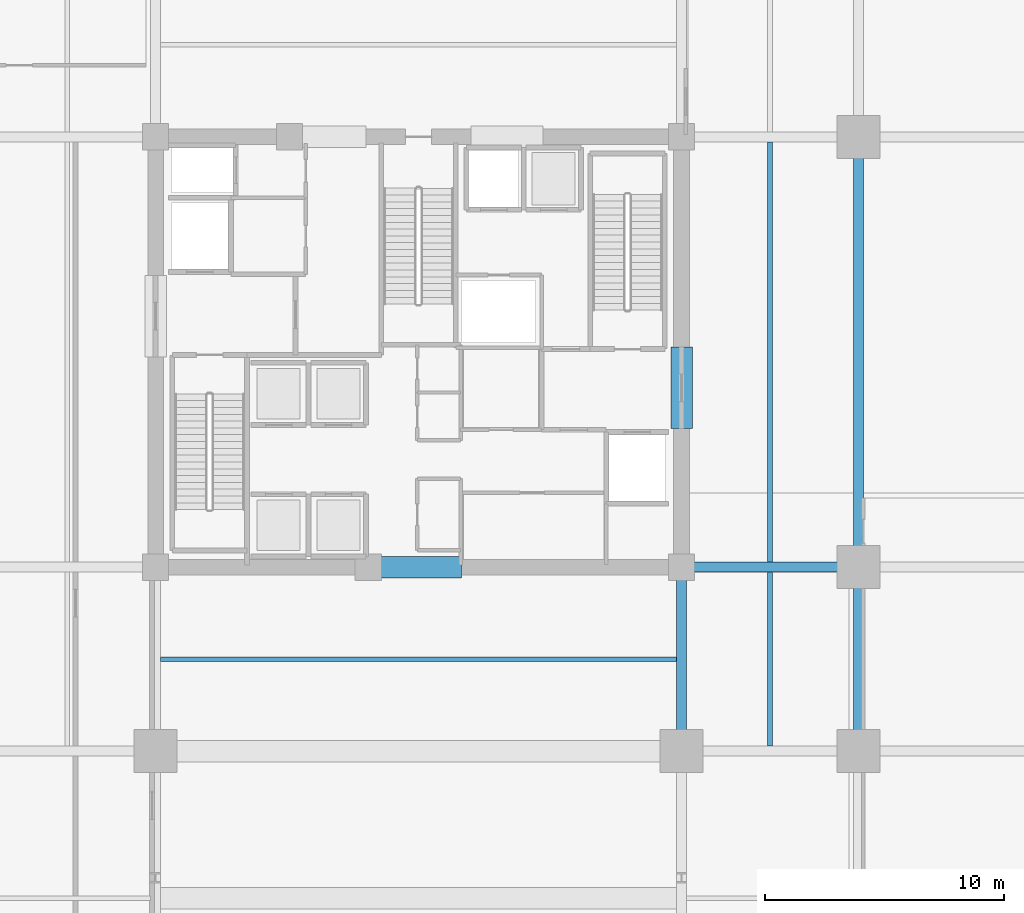
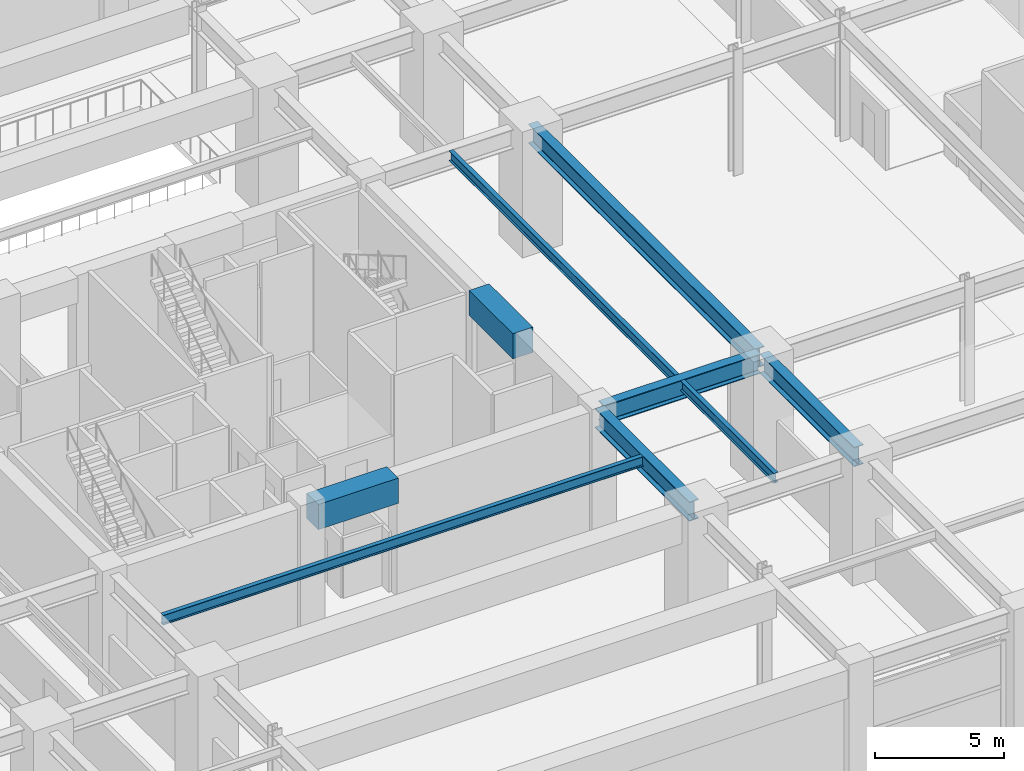
# One storey, part 12 of 41: 9 beams.
"""IFC4 building model written with IfcOpenShell, lengths in metres."""

from ifc_helpers import new_model, si_unit, direction, frame, origin, origin_2d, place, context, subcontext, project, spatial, rectangle, i_section, extrude, material, material_profile, profile_set, type_object, element, save


model = new_model("IFC4")

# Units and contexts
model_context = context("Model", 3, precision=1e-05, world=origin(), true_north=direction((0.0, 1.0)))
body_context = subcontext(model_context, "Body", "Model", "MODEL_VIEW")
ifc_project = project(units=[si_unit("LENGTHUNIT", "METRE"), si_unit("AREAUNIT", "SQUARE_METRE"), si_unit("VOLUMEUNIT", "CUBIC_METRE"), si_unit("PLANEANGLEUNIT", "RADIAN"), si_unit("MASSUNIT", "GRAM", prefix="KILO")], contexts=[model_context])

# Site, building, storey
site_placement = place(None, origin())
site = spatial("IfcSite", under=ifc_project, at=site_placement, CompositionType="ELEMENT")
building_placement = place(site_placement, origin())
building = spatial("IfcBuilding", under=site, at=building_placement, Name="Kovane Verandah Tower", CompositionType="ELEMENT")
storey_placement = place(building_placement, origin())
storey = spatial("IfcBuildingStorey", under=building, at=storey_placement, Name="L00", CompositionType="ELEMENT", Elevation=0.0)

# Beams
ifc_material_1 = material(Name="Concrete C80/95", Category="concrete")
ifc_material_profile_1 = material_profile(ifc_material_1, rectangle(XDim=0.89990234375, YDim=1.199951171875, at=origin_2d()), Name="RCB900x1200")
ifc_profile_set_1 = profile_set([ifc_material_profile_1], Name="Concrete C80/95")
beam_type_1 = type_object("IfcBeamType", Name="BM-LINTEL-900x1200", PredefinedType="LINTEL", material=ifc_profile_set_1)
beam_1_placement = place(storey_placement, frame((38.199951171875, 18.5, 5.1201171875), z_axis=(1.0, 0.0, 0.0), x_axis=(0.0, 1.0, 0.0)))
element("IfcBeam", 1, at=beam_1_placement, inside=storey, type_object=beam_type_1, Name="L00 Core Coupling Lintel CL-S", PredefinedType="LINTEL", context=body_context, shape_type="SweptSolid", body=[
    extrude(rectangle(XDim=0.89990234375, YDim=1.199951171875, at=origin_2d()), origin(), (0.0, 0.0, 1.0), 3.60009765625),
])
beam_2_placement = place(storey_placement, frame((51.0, 24.300048828125, 5.1201171875), z_axis=(0.0, 1.0, 0.0), x_axis=(-1.0, 0.0, 0.0)))
element("IfcBeam", 2, at=beam_2_placement, inside=storey, type_object=beam_type_1, Name="L00 Core Coupling Lintel CL-E", PredefinedType="LINTEL", context=body_context, shape_type="SweptSolid", body=[
    extrude(rectangle(XDim=0.89990234375, YDim=1.199951171875, at=origin_2d()), origin(), (0.0, 0.0, 1.0), 3.39990234375),
])
ifc_material_2 = material(Name="Steel S460", Category="steel")
ifc_material_profile_2 = material_profile(ifc_material_2, i_section(OverallWidth=0.42041015625, OverallDepth=0.9208984375, WebThickness=0.021484375, FlangeThickness=0.03662109375, FilletRadius=0.024169921875, at=origin_2d()), Name="UB914x419x388")
ifc_profile_set_2 = profile_set([ifc_material_profile_2], Name="Steel S460")
beam_type_2 = type_object("IfcBeamType", Name="BM-UB914x388", PredefinedType="BEAM", material=ifc_profile_set_2)
beam_3_placement = place(storey_placement, frame((58.39990234375, 10.97998046875, 5.259521484375), z_axis=(0.0, 1.0, 0.0), x_axis=(-1.0, 0.0, 0.0)))
element("IfcBeam", 3, at=beam_3_placement, inside=storey, type_object=beam_type_2, Name="L00 Primary Tower Girder G-RE1", PredefinedType="BEAM", context=body_context, shape_type="SweptSolid", body=[
    extrude(i_section(OverallWidth=0.42041015625, OverallDepth=0.9208984375, WebThickness=0.021484375, FlangeThickness=0.03662109375, FilletRadius=0.024169921875, at=origin_2d()), origin(), (0.0, 0.0, 1.0), 7.340087890625),
])
beam_4_placement = place(storey_placement, frame((58.39990234375, 18.679931640625, 5.259521484375), z_axis=(0.0, 1.0, 0.0), x_axis=(-1.0, 0.0, 0.0)))
element("IfcBeam", 4, at=beam_4_placement, inside=storey, type_object=beam_type_2, Name="L00 Primary Tower Girder G-RE2", PredefinedType="BEAM", context=body_context, shape_type="SweptSolid", body=[
    extrude(i_section(OverallWidth=0.42041015625, OverallDepth=0.9208984375, WebThickness=0.021484375, FlangeThickness=0.03662109375, FilletRadius=0.024169921875, at=origin_2d()), origin(), (0.0, 0.0, 1.0), 17.64013671875),
])
beam_5_placement = place(storey_placement, frame((51.179931640625, 18.5, 5.259521484375), z_axis=(1.0, 0.0, 0.0), x_axis=(0.0, 1.0, 0.0)))
element("IfcBeam", 5, at=beam_5_placement, inside=storey, type_object=beam_type_2, Name="L00 Primary Tower Girder G-E1", PredefinedType="BEAM", context=body_context, shape_type="SweptSolid", body=[
    extrude(i_section(OverallWidth=0.42041015625, OverallDepth=0.9208984375, WebThickness=0.021484375, FlangeThickness=0.03662109375, FilletRadius=0.024169921875, at=origin_2d()), origin(), (0.0, 0.0, 1.0), 7.0400390625),
])
beam_6_placement = place(storey_placement, frame((51.0, 18.320068359375, 5.259521484375), z_axis=(0.0, -1.0, 0.0), x_axis=(1.0, 0.0, 0.0)))
element("IfcBeam", 6, at=beam_6_placement, inside=storey, type_object=beam_type_2, Name="L00 Primary Tower Girder G-S2", PredefinedType="BEAM", context=body_context, shape_type="SweptSolid", body=[
    extrude(i_section(OverallWidth=0.42041015625, OverallDepth=0.9208984375, WebThickness=0.021484375, FlangeThickness=0.03662109375, FilletRadius=0.024169921875, at=origin_2d()), origin(), (0.0, 0.0, 1.0), 7.340087890625),
])
ifc_material_3 = material(Name="Steel S355", Category="steel")
ifc_material_profile_3 = material_profile(ifc_material_3, i_section(OverallWidth=0.19287109375, OverallDepth=0.46728515625, WebThickness=0.011474609375, FlangeThickness=0.01953125, FilletRadius=0.01025390625, at=origin_2d()), Name="UB457x191x98")
ifc_profile_set_3 = profile_set([ifc_material_profile_3], Name="Steel S355")
beam_type_3 = type_object("IfcBeamType", Name="JST-UB457x98", PredefinedType="JOIST", material=ifc_profile_set_3)
beam_7_placement = place(storey_placement, frame((29.208251953125, 14.64990234375, 5.486328125), z_axis=(1.0, 0.0, 0.0), x_axis=(0.0, 1.0, 0.0)))
element("IfcBeam", 7, at=beam_7_placement, inside=storey, type_object=beam_type_3, Name="L00 Secondary Composite Joist J-S1", PredefinedType="JOIST", context=body_context, shape_type="SweptSolid", body=[
    extrude(i_section(OverallWidth=0.19287109375, OverallDepth=0.46728515625, WebThickness=0.011474609375, FlangeThickness=0.01953125, FilletRadius=0.01025390625, at=origin_2d()), origin(), (0.0, 0.0, 1.0), 21.58349609375),
])
beam_8_placement = place(storey_placement, frame((54.699951171875, 18.708251953125, 5.486328125), z_axis=(0.0, 1.0, 0.0), x_axis=(-1.0, 0.0, 0.0)))
element("IfcBeam", 8, at=beam_8_placement, inside=storey, type_object=beam_type_3, Name="L00 Secondary Composite Joist J-E1", PredefinedType="JOIST", context=body_context, shape_type="SweptSolid", body=[
    extrude(i_section(OverallWidth=0.19287109375, OverallDepth=0.46728515625, WebThickness=0.011474609375, FlangeThickness=0.01953125, FilletRadius=0.01025390625, at=origin_2d()), origin(), (0.0, 0.0, 1.0), 17.58349609375),
])
beam_9_placement = place(storey_placement, frame((54.699951171875, 11.00830078125, 5.486328125), z_axis=(0.0, 1.0, 0.0), x_axis=(-1.0, 0.0, 0.0)))
element("IfcBeam", 9, at=beam_9_placement, inside=storey, type_object=beam_type_3, Name="L00 Secondary Composite Joist J-SE1", PredefinedType="JOIST", context=body_context, shape_type="SweptSolid", body=[
    extrude(i_section(OverallWidth=0.19287109375, OverallDepth=0.46728515625, WebThickness=0.011474609375, FlangeThickness=0.01953125, FilletRadius=0.01025390625, at=origin_2d()), origin(), (0.0, 0.0, 1.0), 7.283447265625),
])

save(model, "model.ifc")
